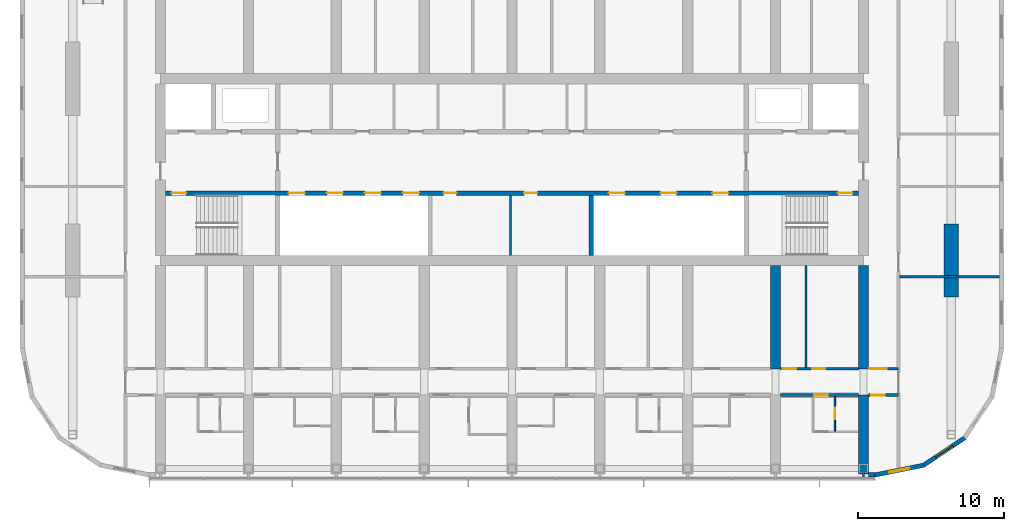
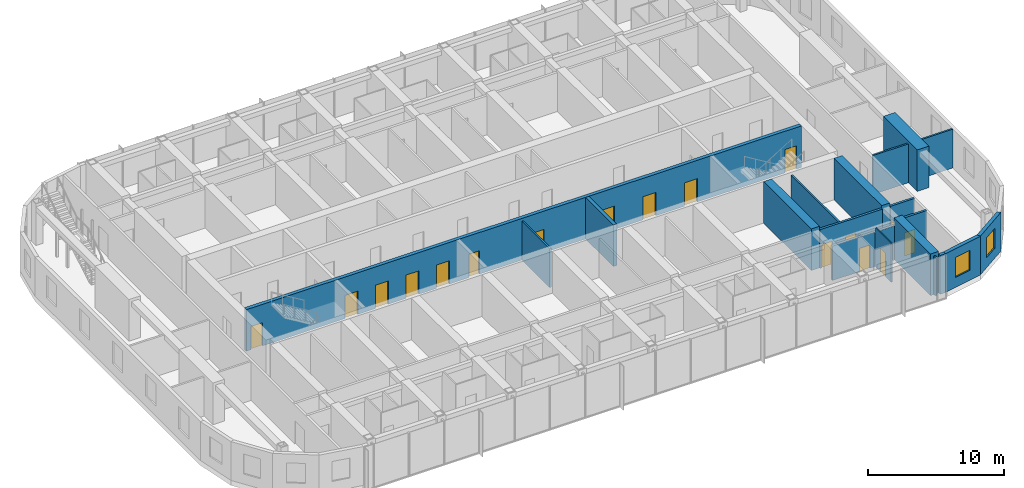
# One storey, part 15 of 26: 18 walls, 17 doors, 2 windows, 19 openings.
"""IFC4 building model written with IfcOpenShell, lengths in metres."""

from ifc_helpers import new_model, si_unit, direction, frame, frame_2d, origin, place, context, subcontext, project, spatial, polyline, rectangle, outline, extrude, material, layer, layer_set, type_object, element, fill, save


model = new_model("IFC4")

# Units and contexts
model_context = context("Model", 3, precision=1e-05, world=origin(), true_north=direction((0.0, 1.0)))
body_context = subcontext(model_context, "Body", "Model", "MODEL_VIEW")
ifc_project = project(units=[si_unit("LENGTHUNIT", "METRE"), si_unit("AREAUNIT", "SQUARE_METRE"), si_unit("VOLUMEUNIT", "CUBIC_METRE"), si_unit("PLANEANGLEUNIT", "RADIAN"), si_unit("MASSUNIT", "GRAM", prefix="KILO")], contexts=[model_context])

# Site, building, storey
site_placement = place(None, origin())
site = spatial("IfcSite", under=ifc_project, at=site_placement, CompositionType="ELEMENT")
building_placement = place(site_placement, origin())
building = spatial("IfcBuilding", under=site, at=building_placement, Name="Orbita Commons", CompositionType="ELEMENT")
storey_placement = place(building_placement, frame((0.0, 0.0, 231.550048828125)))
storey = spatial("IfcBuildingStorey", under=building, at=storey_placement, Name="L57", CompositionType="ELEMENT", Elevation=231.550048828125)

# Wall, openings, doors
ifc_material_1 = material(Name="Concrete C50/60", Category="concrete")
ifc_layer_1 = layer(ifc_material_1, 0.300048828125)
ifc_layer_set_1 = layer_set([ifc_layer_1], Name="Concrete C50/60")
wall_type_1 = type_object("IfcWallType", Name="Core inner wall 300 C50/60", PredefinedType="SHEAR", material=ifc_layer_set_1)
wall_1_placement = place(storey_placement, frame((18.35009765625, 30.39990234375, 0.0), z_axis=(0.0, 0.0, 1.0), x_axis=(1.0, 0.0, 0.0)))
wall_1 = element("IfcWall", 1, at=wall_1_placement, inside=storey, type_object=wall_type_1, Name="Lobby wall south L57", PredefinedType="SHEAR", context=body_context, shape_type="SweptSolid", body=[
    extrude(rectangle(XDim=47.2998046875, YDim=0.300048828125, at=frame_2d((23.64990234375, 0.0))), origin(), (0.0, 0.0, 1.0), 3.75),
])
opening_1_placement = place(wall_1_placement, frame((0.39990234375, 0.0, 0.0)))
opening_1 = element("IfcOpeningElement", 2, at=opening_1_placement, cuts=wall_1, Name="Opening D02", PredefinedType="OPENING", context=body_context, shape_type="SweptSolid", body=[
    extrude(rectangle(XDim=1.0, YDim=2.10009765625, at=frame_2d((0.5, 1.050048828125))), frame((0.0, 0.159912109375, 0.0), z_axis=(0.0, -1.0, 0.0), x_axis=(1.0, 0.0, 0.0)), (0.0, 0.0, 1.0), 0.320068359375),
])
opening_2_placement = place(wall_1_placement, frame((45.89990234375, 0.0, 0.0)))
opening_2 = element("IfcOpeningElement", 3, at=opening_2_placement, cuts=wall_1, Name="Opening D02", PredefinedType="OPENING", context=body_context, shape_type="SweptSolid", body=[
    extrude(rectangle(XDim=1.0, YDim=2.10009765625, at=frame_2d((0.5, 1.050048828125))), frame((0.0, 0.159912109375, 0.0), z_axis=(0.0, -1.0, 0.0), x_axis=(1.0, 0.0, 0.0)), (0.0, 0.0, 1.0), 0.320068359375),
])
opening_3_placement = place(wall_1_placement, frame((8.39990234375, 0.0, 0.0)))
opening_3 = element("IfcOpeningElement", 4, at=opening_3_placement, cuts=wall_1, Name="Opening LD02", PredefinedType="OPENING", context=body_context, shape_type="SweptSolid", body=[
    extrude(rectangle(XDim=1.10009765625, YDim=2.10009765625, at=frame_2d((0.550048828125, 1.050048828125))), frame((0.0, 0.159912109375, 0.0), z_axis=(0.0, -1.0, 0.0), x_axis=(1.0, 0.0, 0.0)), (0.0, 0.0, 1.0), 0.320068359375),
])
opening_4_placement = place(wall_1_placement, frame((11.0, 0.0, 0.0)))
opening_4 = element("IfcOpeningElement", 5, at=opening_4_placement, cuts=wall_1, Name="Opening LD02", PredefinedType="OPENING", context=body_context, shape_type="SweptSolid", body=[
    extrude(rectangle(XDim=1.10009765625, YDim=2.10009765625, at=frame_2d((0.550048828125, 1.050048828125))), frame((0.0, 0.159912109375, 0.0), z_axis=(0.0, -1.0, 0.0), x_axis=(1.0, 0.0, 0.0)), (0.0, 0.0, 1.0), 0.320068359375),
])
opening_5_placement = place(wall_1_placement, frame((13.60009765625, 0.0, 0.0)))
opening_5 = element("IfcOpeningElement", 6, at=opening_5_placement, cuts=wall_1, Name="Opening LD02", PredefinedType="OPENING", context=body_context, shape_type="SweptSolid", body=[
    extrude(rectangle(XDim=1.10009765625, YDim=2.10009765625, at=frame_2d((0.550048828125, 1.050048828125))), frame((0.0, 0.159912109375, 0.0), z_axis=(0.0, -1.0, 0.0), x_axis=(1.0, 0.0, 0.0)), (0.0, 0.0, 1.0), 0.320068359375),
])
opening_6_placement = place(wall_1_placement, frame((16.199951171875, 0.0, 0.0)))
opening_6 = element("IfcOpeningElement", 7, at=opening_6_placement, cuts=wall_1, Name="Opening LD02", PredefinedType="OPENING", context=body_context, shape_type="SweptSolid", body=[
    extrude(rectangle(XDim=1.10009765625, YDim=2.10009765625, at=frame_2d((0.550048828125, 1.050048828125))), frame((0.0, 0.159912109375, 0.0), z_axis=(0.0, -1.0, 0.0), x_axis=(1.0, 0.0, 0.0)), (0.0, 0.0, 1.0), 0.320068359375),
])
opening_7_placement = place(wall_1_placement, frame((18.97509765625, 0.0, 0.0)))
opening_7 = element("IfcOpeningElement", 8, at=opening_7_placement, cuts=wall_1, Name="Opening D05", PredefinedType="OPENING", context=body_context, shape_type="SweptSolid", body=[
    extrude(rectangle(XDim=0.89990234375, YDim=2.10009765625, at=frame_2d((0.449951171875, 1.050048828125))), frame((0.0, 0.159912109375, 0.0), z_axis=(0.0, -1.0, 0.0), x_axis=(1.0, 0.0, 0.0)), (0.0, 0.0, 1.0), 0.320068359375),
])
opening_8_placement = place(wall_1_placement, frame((24.47509765625, 0.0, 0.0)))
opening_8 = element("IfcOpeningElement", 9, at=opening_8_placement, cuts=wall_1, Name="Opening D05", PredefinedType="OPENING", context=body_context, shape_type="SweptSolid", body=[
    extrude(rectangle(XDim=0.89990234375, YDim=2.10009765625, at=frame_2d((0.449951171875, 1.050048828125))), frame((0.0, 0.159912109375, 0.0), z_axis=(0.0, -1.0, 0.0), x_axis=(1.0, 0.0, 0.0)), (0.0, 0.0, 1.0), 0.320068359375),
])
opening_9_placement = place(wall_1_placement, frame((30.2666015625, 0.0, 0.0)))
opening_9 = element("IfcOpeningElement", 10, at=opening_9_placement, cuts=wall_1, Name="Opening LD02", PredefinedType="OPENING", context=body_context, shape_type="SweptSolid", body=[
    extrude(rectangle(XDim=1.10009765625, YDim=2.10009765625, at=frame_2d((0.550048828125, 1.050048828125))), frame((0.0, 0.159912109375, 0.0), z_axis=(0.0, -1.0, 0.0), x_axis=(1.0, 0.0, 0.0)), (0.0, 0.0, 1.0), 0.320068359375),
])
opening_10_placement = place(wall_1_placement, frame((33.800048828125, 0.0, 0.0)))
opening_10 = element("IfcOpeningElement", 11, at=opening_10_placement, cuts=wall_1, Name="Opening LD02", PredefinedType="OPENING", context=body_context, shape_type="SweptSolid", body=[
    extrude(rectangle(XDim=1.10009765625, YDim=2.10009765625, at=frame_2d((0.550048828125, 1.050048828125))), frame((0.0, 0.159912109375, 0.0), z_axis=(0.0, -1.0, 0.0), x_axis=(1.0, 0.0, 0.0)), (0.0, 0.0, 1.0), 0.320068359375),
])
opening_11_placement = place(wall_1_placement, frame((37.333251953125, 0.0, 0.0)))
opening_11 = element("IfcOpeningElement", 12, at=opening_11_placement, cuts=wall_1, Name="Opening LD02", PredefinedType="OPENING", context=body_context, shape_type="SweptSolid", body=[
    extrude(rectangle(XDim=1.10009765625, YDim=2.10009765625, at=frame_2d((0.550048828125, 1.050048828125))), frame((0.0, 0.159912109375, 0.0), z_axis=(0.0, -1.0, 0.0), x_axis=(1.0, 0.0, 0.0)), (0.0, 0.0, 1.0), 0.320068359375),
])
ifc_material_2 = material(Name="Steel-faced fire door leaf", Category="steel")
door_type_1 = type_object("IfcDoorType", Name="Fire door 90 min 1000x2100", OperationType="SINGLE_SWING_LEFT", PredefinedType="DOOR", material=ifc_material_2)
door_1_placement = place(opening_1_placement, origin())
door_1 = element("IfcDoor", 13, at=door_1_placement, inside=storey, type_object=door_type_1, Name="Stair S1 door", OperationType="SINGLE_SWING_LEFT", OverallHeight=2.10009765625, OverallWidth=1.0, PredefinedType="DOOR", context=body_context, shape_type="SweptSolid", body=[
    extrude(rectangle(XDim=1.0, YDim=2.10009765625, at=frame_2d((0.5, 1.050048828125))), frame((0.0, 0.02490234375, 0.0), z_axis=(0.0, -1.0, 0.0), x_axis=(1.0, 0.0, 0.0)), (0.0, 0.0, 1.0), 0.050048828125),
])
fill(opening_1, door_1)
door_2_placement = place(opening_2_placement, origin())
door_2 = element("IfcDoor", 14, at=door_2_placement, inside=storey, type_object=door_type_1, Name="Stair S2 door", OperationType="SINGLE_SWING_LEFT", OverallHeight=2.10009765625, OverallWidth=1.0, PredefinedType="DOOR", context=body_context, shape_type="SweptSolid", body=[
    extrude(rectangle(XDim=1.0, YDim=2.10009765625, at=frame_2d((0.5, 1.050048828125))), frame((0.0, 0.02490234375, 0.0), z_axis=(0.0, -1.0, 0.0), x_axis=(1.0, 0.0, 0.0)), (0.0, 0.0, 1.0), 0.050048828125),
])
fill(opening_2, door_2)
ifc_material_3 = material(Name="Steel-faced fire door leaf", Category="steel")
door_type_2 = type_object("IfcDoorType", Name="Lift landing door 1100x2100", OperationType="DOUBLE_DOOR_SLIDING", PredefinedType="DOOR", material=ifc_material_3)
door_3_placement = place(opening_3_placement, origin())
door_3 = element("IfcDoor", 15, at=door_3_placement, inside=storey, type_object=door_type_2, Name="Lift P41 landing door", OperationType="DOUBLE_DOOR_SLIDING", OverallHeight=2.10009765625, OverallWidth=1.10009765625, PredefinedType="DOOR", context=body_context, shape_type="SweptSolid", body=[
    extrude(rectangle(XDim=1.10009765625, YDim=2.10009765625, at=frame_2d((0.550048828125, 1.050048828125))), frame((0.0, 0.02490234375, 0.0), z_axis=(0.0, -1.0, 0.0), x_axis=(1.0, 0.0, 0.0)), (0.0, 0.0, 1.0), 0.050048828125),
])
fill(opening_3, door_3)
door_4_placement = place(opening_4_placement, origin())
door_4 = element("IfcDoor", 16, at=door_4_placement, inside=storey, type_object=door_type_2, Name="Lift P42 landing door", OperationType="DOUBLE_DOOR_SLIDING", OverallHeight=2.10009765625, OverallWidth=1.10009765625, PredefinedType="DOOR", context=body_context, shape_type="SweptSolid", body=[
    extrude(rectangle(XDim=1.10009765625, YDim=2.10009765625, at=frame_2d((0.550048828125, 1.050048828125))), frame((0.0, 0.02490234375, 0.0), z_axis=(0.0, -1.0, 0.0), x_axis=(1.0, 0.0, 0.0)), (0.0, 0.0, 1.0), 0.050048828125),
])
fill(opening_4, door_4)
door_5_placement = place(opening_5_placement, origin())
door_5 = element("IfcDoor", 17, at=door_5_placement, inside=storey, type_object=door_type_2, Name="Lift P43 landing door", OperationType="DOUBLE_DOOR_SLIDING", OverallHeight=2.10009765625, OverallWidth=1.10009765625, PredefinedType="DOOR", context=body_context, shape_type="SweptSolid", body=[
    extrude(rectangle(XDim=1.10009765625, YDim=2.10009765625, at=frame_2d((0.550048828125, 1.050048828125))), frame((0.0, 0.02490234375, 0.0), z_axis=(0.0, -1.0, 0.0), x_axis=(1.0, 0.0, 0.0)), (0.0, 0.0, 1.0), 0.050048828125),
])
fill(opening_5, door_5)
door_6_placement = place(opening_6_placement, origin())
door_6 = element("IfcDoor", 18, at=door_6_placement, inside=storey, type_object=door_type_2, Name="Lift P44 landing door", OperationType="DOUBLE_DOOR_SLIDING", OverallHeight=2.10009765625, OverallWidth=1.10009765625, PredefinedType="DOOR", context=body_context, shape_type="SweptSolid", body=[
    extrude(rectangle(XDim=1.10009765625, YDim=2.10009765625, at=frame_2d((0.550048828125, 1.050048828125))), frame((0.0, 0.02490234375, 0.0), z_axis=(0.0, -1.0, 0.0), x_axis=(1.0, 0.0, 0.0)), (0.0, 0.0, 1.0), 0.050048828125),
])
fill(opening_6, door_6)
door_7_placement = place(opening_9_placement, origin())
door_7 = element("IfcDoor", 19, at=door_7_placement, inside=storey, type_object=door_type_2, Name="Lift SV1 landing door", OperationType="DOUBLE_DOOR_SLIDING", OverallHeight=2.10009765625, OverallWidth=1.10009765625, PredefinedType="DOOR", context=body_context, shape_type="SweptSolid", body=[
    extrude(rectangle(XDim=1.10009765625, YDim=2.10009765625, at=frame_2d((0.550048828125, 1.050048828125))), frame((0.0, 0.02490234375, 0.0), z_axis=(0.0, -1.0, 0.0), x_axis=(1.0, 0.0, 0.0)), (0.0, 0.0, 1.0), 0.050048828125),
])
fill(opening_9, door_7)
door_8_placement = place(opening_10_placement, origin())
door_8 = element("IfcDoor", 20, at=door_8_placement, inside=storey, type_object=door_type_2, Name="Lift SV2 landing door", OperationType="DOUBLE_DOOR_SLIDING", OverallHeight=2.10009765625, OverallWidth=1.10009765625, PredefinedType="DOOR", context=body_context, shape_type="SweptSolid", body=[
    extrude(rectangle(XDim=1.10009765625, YDim=2.10009765625, at=frame_2d((0.550048828125, 1.050048828125))), frame((0.0, 0.02490234375, 0.0), z_axis=(0.0, -1.0, 0.0), x_axis=(1.0, 0.0, 0.0)), (0.0, 0.0, 1.0), 0.050048828125),
])
fill(opening_10, door_8)
door_9_placement = place(opening_11_placement, origin())
door_9 = element("IfcDoor", 21, at=door_9_placement, inside=storey, type_object=door_type_2, Name="Lift SV3 landing door", OperationType="DOUBLE_DOOR_SLIDING", OverallHeight=2.10009765625, OverallWidth=1.10009765625, PredefinedType="DOOR", context=body_context, shape_type="SweptSolid", body=[
    extrude(rectangle(XDim=1.10009765625, YDim=2.10009765625, at=frame_2d((0.550048828125, 1.050048828125))), frame((0.0, 0.02490234375, 0.0), z_axis=(0.0, -1.0, 0.0), x_axis=(1.0, 0.0, 0.0)), (0.0, 0.0, 1.0), 0.050048828125),
])
fill(opening_11, door_9)
ifc_material_4 = material(Name="Steel-faced fire door leaf", Category="steel")
door_type_3 = type_object("IfcDoorType", Name="Service door 20 min 900x2100", OperationType="SINGLE_SWING_LEFT", PredefinedType="DOOR", material=ifc_material_4)
door_10_placement = place(opening_7_placement, origin())
door_10 = element("IfcDoor", 22, at=door_10_placement, inside=storey, type_object=door_type_3, Name="Telecoms room door", OperationType="SINGLE_SWING_LEFT", OverallHeight=2.10009765625, OverallWidth=0.89990234375, PredefinedType="DOOR", context=body_context, shape_type="SweptSolid", body=[
    extrude(rectangle(XDim=0.89990234375, YDim=2.10009765625, at=frame_2d((0.449951171875, 1.050048828125))), frame((0.0, 0.02490234375, 0.0), z_axis=(0.0, -1.0, 0.0), x_axis=(1.0, 0.0, 0.0)), (0.0, 0.0, 1.0), 0.050048828125),
])
fill(opening_7, door_10)
door_11_placement = place(opening_8_placement, origin())
door_11 = element("IfcDoor", 23, at=door_11_placement, inside=storey, type_object=door_type_3, Name="Equipment store door", OperationType="SINGLE_SWING_LEFT", OverallHeight=2.10009765625, OverallWidth=0.89990234375, PredefinedType="DOOR", context=body_context, shape_type="SweptSolid", body=[
    extrude(rectangle(XDim=0.89990234375, YDim=2.10009765625, at=frame_2d((0.449951171875, 1.050048828125))), frame((0.0, 0.02490234375, 0.0), z_axis=(0.0, -1.0, 0.0), x_axis=(1.0, 0.0, 0.0)), (0.0, 0.0, 1.0), 0.050048828125),
])
fill(opening_8, door_11)

# Walls
wall_2_placement = place(storey_placement, frame((47.39990234375, 26.14990234375, 0.0), z_axis=(0.0, 0.0, 1.0), x_axis=(0.0, 1.0, 0.0)))
element("IfcWall", 24, at=wall_2_placement, inside=storey, type_object=wall_type_1, Name="Hoistway division wall L57", PredefinedType="SHEAR", context=body_context, shape_type="SweptSolid", body=[
    extrude(rectangle(XDim=4.10009765625, YDim=0.300048828125, at=frame_2d((2.050048828125, 0.0))), origin(), (0.0, 0.0, 1.0), 3.75),
])
ifc_material_5 = material(Name="Concrete blockwork", Category="masonry")
ifc_layer_2 = layer(ifc_material_5, 0.14990234375)
ifc_layer_set_2 = layer_set([ifc_layer_2], Name="Concrete blockwork")
wall_type_2 = type_object("IfcWallType", Name="Core partition 150 blockwork", PredefinedType="SOLIDWALL", material=ifc_layer_set_2)
wall_3_placement = place(storey_placement, frame((41.89990234375, 26.14990234375, 0.0), z_axis=(0.0, 0.0, 1.0), x_axis=(0.0, 1.0, 0.0)))
element("IfcWall", 25, at=wall_3_placement, inside=storey, type_object=wall_type_2, Name="Core partition 150 blockwork L57", PredefinedType="SOLIDWALL", context=body_context, shape_type="SweptSolid", body=[
    extrude(rectangle(XDim=4.10009765625, YDim=0.14990234375, at=frame_2d((2.050048828125, 0.0))), origin(), (0.0, 0.0, 1.0), 3.5),
])

# Wall, opening, door
ifc_material_6 = material(Name="Concrete blockwork", Category="masonry")
ifc_layer_3 = layer(ifc_material_6, 0.199951171875)
ifc_layer_set_3 = layer_set([ifc_layer_3], Name="Concrete blockwork")
wall_type_3 = type_object("IfcWallType", Name="Corridor wall 200 blockwork", PredefinedType="SOLIDWALL", material=ifc_layer_set_3)
wall_4_placement = place(storey_placement, frame((60.35009765625, 16.60009765625, 0.0), z_axis=(0.0, 0.0, 1.0), x_axis=(1.0, 0.0, 0.0)))
wall_4 = element("IfcWall", 26, at=wall_4_placement, inside=storey, type_object=wall_type_3, Name="Corridor wall 200 blockwork L57", PredefinedType="SOLIDWALL", context=body_context, shape_type="SweptSolid", body=[
    extrude(outline(polyline([(0.0, 0.0), (5.2998046875, 0.0), (5.300048828125, 3.099853515625), (0.0, 3.099853515625), (0.0, 0.0)])), frame((0.0, 0.10009765625, 0.0), z_axis=(0.0, -1.0, 0.0), x_axis=(1.0, 0.0, 0.0)), (0.0, 0.0, 1.0), 0.199951171875),
])
opening_12_placement = place(wall_4_placement, frame((2.300048828125, 0.0, 0.0)))
opening_12 = element("IfcOpeningElement", 27, at=opening_12_placement, cuts=wall_4, Name="Opening D11", PredefinedType="OPENING", context=body_context, shape_type="SweptSolid", body=[
    extrude(rectangle(XDim=0.89990234375, YDim=2.10009765625, at=frame_2d((0.449951171875, 1.050048828125))), frame((0.0, 0.10986328125, 0.0), z_axis=(0.0, -1.0, 0.0), x_axis=(1.0, 0.0, 0.0)), (0.0, 0.0, 1.0), 0.219970703125),
])
ifc_material_7 = material(Name="Steel-faced fire door leaf", Category="steel")
door_type_4 = type_object("IfcDoorType", Name="Corridor door 20 min 900x2100", OperationType="SINGLE_SWING_LEFT", PredefinedType="DOOR", material=ifc_material_7)
door_12_placement = place(opening_12_placement, origin())
door_12 = element("IfcDoor", 28, at=door_12_placement, inside=storey, type_object=door_type_4, Name="Studio flat L57-S14 entrance door", OperationType="SINGLE_SWING_LEFT", OverallHeight=2.10009765625, OverallWidth=0.89990234375, PredefinedType="DOOR", context=body_context, shape_type="SweptSolid", body=[
    extrude(rectangle(XDim=0.89990234375, YDim=2.10009765625, at=frame_2d((0.449951171875, 1.050048828125))), frame((0.0, 0.02490234375, 0.0), z_axis=(0.0, -1.0, 0.0), x_axis=(1.0, 0.0, 0.0)), (0.0, 0.0, 1.0), 0.050048828125),
])
fill(opening_12, door_12)

wall_5_placement = place(storey_placement, frame((66.35009765625, 16.60009765625, 0.0), z_axis=(0.0, 0.0, 1.0), x_axis=(1.0, 0.0, 0.0)))
wall_5 = element("IfcWall", 29, at=wall_5_placement, inside=storey, type_object=wall_type_3, Name="Corridor wall 200 blockwork L57", PredefinedType="SOLIDWALL", context=body_context, shape_type="SweptSolid", body=[
    extrude(rectangle(XDim=2.0498046875, YDim=0.199951171875, at=frame_2d((1.02490234375, 0.0))), origin(), (0.0, 0.0, 1.0), 3.5),
])
opening_13_placement = place(wall_5_placement, frame((0.199951171875, 0.0, 0.0)))
opening_13 = element("IfcOpeningElement", 30, at=opening_13_placement, cuts=wall_5, Name="Opening D05", PredefinedType="OPENING", context=body_context, shape_type="SweptSolid", body=[
    extrude(rectangle(XDim=0.89990234375, YDim=2.10009765625, at=frame_2d((0.449951171875, 1.050048828125))), frame((0.0, 0.10986328125, 0.0), z_axis=(0.0, -1.0, 0.0), x_axis=(1.0, 0.0, 0.0)), (0.0, 0.0, 1.0), 0.219970703125),
])
door_13_placement = place(opening_13_placement, origin())
door_13 = element("IfcDoor", 31, at=door_13_placement, inside=storey, type_object=door_type_3, Name="Linen store L57-KES door", OperationType="SINGLE_SWING_LEFT", OverallHeight=2.10009765625, OverallWidth=0.89990234375, PredefinedType="DOOR", context=body_context, shape_type="SweptSolid", body=[
    extrude(rectangle(XDim=0.89990234375, YDim=2.10009765625, at=frame_2d((0.449951171875, 1.050048828125))), frame((0.0, 0.02490234375, 0.0), z_axis=(0.0, -1.0, 0.0), x_axis=(1.0, 0.0, 0.0)), (0.0, 0.0, 1.0), 0.050048828125),
])
fill(opening_13, door_13)

# Wall, openings, doors
ifc_material_8 = material(Name="Hollow concrete block 200", Category="concrete")
ifc_layer_4 = layer(ifc_material_8, 0.199951171875)
ifc_layer_set_4 = layer_set([ifc_layer_4], Name="Hollow concrete block 200")
wall_type_4 = type_object("IfcWallType", Name="Corridor wall 200 hollow concrete block", PredefinedType="SOLIDWALL", material=ifc_layer_set_4)
wall_6_placement = place(storey_placement, frame((60.35009765625, 18.39990234375, 0.0), z_axis=(0.0, 0.0, 1.0), x_axis=(1.0, 0.0, 0.0)))
wall_6 = element("IfcWall", 32, at=wall_6_placement, inside=storey, type_object=wall_type_4, Name="Corridor wall 200 hollow concrete block L57", PredefinedType="SOLIDWALL", context=body_context, shape_type="SweptSolid", body=[
    extrude(rectangle(XDim=5.2998046875, YDim=0.199951171875, at=frame_2d((2.64990234375, 0.0))), origin(), (0.0, 0.0, 1.0), 3.5),
])
opening_14_placement = place(wall_6_placement, frame((0.14990234375, 0.0, 0.0)))
opening_14 = element("IfcOpeningElement", 33, at=opening_14_placement, cuts=wall_6, Name="Opening D11", PredefinedType="OPENING", context=body_context, shape_type="SweptSolid", body=[
    extrude(rectangle(XDim=0.89990234375, YDim=2.10009765625, at=frame_2d((0.449951171875, 1.050048828125))), frame((0.0, 0.10986328125, 0.0), z_axis=(0.0, -1.0, 0.0), x_axis=(1.0, 0.0, 0.0)), (0.0, 0.0, 1.0), 0.219970703125),
])
opening_15_placement = place(wall_6_placement, frame((2.14990234375, 0.0, 0.0)))
opening_15 = element("IfcOpeningElement", 34, at=opening_15_placement, cuts=wall_6, Name="Opening D11", PredefinedType="OPENING", context=body_context, shape_type="SweptSolid", body=[
    extrude(rectangle(XDim=0.89990234375, YDim=2.10009765625, at=frame_2d((0.449951171875, 1.050048828125))), frame((0.0, 0.10986328125, 0.0), z_axis=(0.0, -1.0, 0.0), x_axis=(1.0, 0.0, 0.0)), (0.0, 0.0, 1.0), 0.219970703125),
])
door_14_placement = place(opening_14_placement, origin())
door_14 = element("IfcDoor", 35, at=door_14_placement, inside=storey, type_object=door_type_4, Name="Equipment store L57-BDS60n door", OperationType="SINGLE_SWING_LEFT", OverallHeight=2.10009765625, OverallWidth=0.89990234375, PredefinedType="DOOR", context=body_context, shape_type="SweptSolid", body=[
    extrude(rectangle(XDim=0.89990234375, YDim=2.10009765625, at=frame_2d((0.449951171875, 1.050048828125))), frame((0.0, 0.02490234375, 0.0), z_axis=(0.0, -1.0, 0.0), x_axis=(1.0, 0.0, 0.0)), (0.0, 0.0, 1.0), 0.050048828125),
])
fill(opening_14, door_14)
door_15_placement = place(opening_15_placement, origin())
door_15 = element("IfcDoor", 36, at=door_15_placement, inside=storey, type_object=door_type_4, Name="Ventilation plant room north L57-BDS60 door", OperationType="SINGLE_SWING_LEFT", OverallHeight=2.10009765625, OverallWidth=0.89990234375, PredefinedType="DOOR", context=body_context, shape_type="SweptSolid", body=[
    extrude(rectangle(XDim=0.89990234375, YDim=2.10009765625, at=frame_2d((0.449951171875, 1.050048828125))), frame((0.0, 0.02490234375, 0.0), z_axis=(0.0, -1.0, 0.0), x_axis=(1.0, 0.0, 0.0)), (0.0, 0.0, 1.0), 0.050048828125),
])
fill(opening_15, door_15)

# Wall, opening, door
wall_7_placement = place(storey_placement, frame((66.35009765625, 18.39990234375, 0.0), z_axis=(0.0, 0.0, 1.0), x_axis=(1.0, 0.0, 0.0)))
wall_7 = element("IfcWall", 37, at=wall_7_placement, inside=storey, type_object=wall_type_4, Name="Corridor wall 200 hollow concrete block L57", PredefinedType="SOLIDWALL", context=body_context, shape_type="SweptSolid", body=[
    extrude(rectangle(XDim=2.0498046875, YDim=0.199951171875, at=frame_2d((1.02490234375, 0.0))), origin(), (0.0, 0.0, 1.0), 3.5),
])
opening_16_placement = place(wall_7_placement, frame((0.050048828125, 0.0, 0.0)))
opening_16 = element("IfcOpeningElement", 38, at=opening_16_placement, cuts=wall_7, Name="Opening D12", PredefinedType="OPENING", context=body_context, shape_type="SweptSolid", body=[
    extrude(rectangle(XDim=1.199951171875, YDim=2.10009765625, at=frame_2d((0.60009765625, 1.050048828125))), frame((0.0, 0.10986328125, 0.0), z_axis=(0.0, -1.0, 0.0), x_axis=(1.0, 0.0, 0.0)), (0.0, 0.0, 1.0), 0.219970703125),
])
ifc_material_9 = material(Name="Steel-faced fire door leaf", Category="steel")
door_type_5 = type_object("IfcDoorType", Name="Double corridor door 20 min 1200x2100", OperationType="DOUBLE_DOOR_SINGLE_SWING", PredefinedType="DOOR", material=ifc_material_9)
door_16_placement = place(opening_16_placement, origin())
door_16 = element("IfcDoor", 39, at=door_16_placement, inside=storey, type_object=door_type_5, Name="Cross corridor doors", OperationType="DOUBLE_DOOR_SINGLE_SWING", OverallHeight=2.10009765625, OverallWidth=1.199951171875, PredefinedType="DOOR", context=body_context, shape_type="SweptSolid", body=[
    extrude(rectangle(XDim=1.199951171875, YDim=2.10009765625, at=frame_2d((0.60009765625, 1.050048828125))), frame((0.0, 0.02490234375, 0.0), z_axis=(0.0, -1.0, 0.0), x_axis=(1.0, 0.0, 0.0)), (0.0, 0.0, 1.0), 0.050048828125),
])
fill(opening_16, door_16)

# Walls
ifc_material_10 = material(Name="Concrete C50/60", Category="concrete")
ifc_layer_5 = layer(ifc_material_10, 0.699951171875)
ifc_layer_set_5 = layer_set([ifc_layer_5], Name="Concrete C50/60")
wall_type_5 = type_object("IfcWallType", Name="Cross wall 700 C50/60", PredefinedType="SHEAR", material=ifc_layer_set_5)
wall_8_placement = place(storey_placement, frame((60.0, 18.39990234375, 0.0), z_axis=(0.0, 0.0, 1.0), x_axis=(0.0, 1.0, 0.0)))
element("IfcWall", 40, at=wall_8_placement, inside=storey, type_object=wall_type_5, Name="Cross wall 11 south inner L57", PredefinedType="SHEAR", context=body_context, shape_type="SweptSolid", body=[
    extrude(rectangle(XDim=7.050048828125, YDim=0.699951171875, at=frame_2d((3.52490234375, 0.0))), origin(), (0.0, 0.0, 1.0), 3.75),
])
wall_9_placement = place(storey_placement, frame((66.0, 11.199951171875, 0.0), z_axis=(0.0, 0.0, 1.0), x_axis=(0.0, 1.0, 0.0)))
element("IfcWall", 41, at=wall_9_placement, inside=storey, type_object=wall_type_5, Name="Cross wall 12 south outer L57", PredefinedType="SHEAR", context=body_context, shape_type="SweptSolid", body=[
    extrude(rectangle(XDim=5.400146484375, YDim=0.699951171875, at=frame_2d((2.7001953125, 0.0))), origin(), (0.0, 0.0, 1.0), 3.75),
])
wall_10_placement = place(storey_placement, frame((66.0, 18.39990234375, 0.0), z_axis=(0.0, 0.0, 1.0), x_axis=(0.0, 1.0, 0.0)))
element("IfcWall", 42, at=wall_10_placement, inside=storey, type_object=wall_type_5, Name="Cross wall 12 south inner L57", PredefinedType="SHEAR", context=body_context, shape_type="SweptSolid", body=[
    extrude(rectangle(XDim=7.050048828125, YDim=0.699951171875, at=frame_2d((3.52490234375, 0.0))), origin(), (0.0, 0.0, 1.0), 3.75),
])

# Wall, opening, door
ifc_material_11 = material(Name="Moisture-resistant plasterboard on steel studs", Category="steel")
ifc_layer_6 = layer(ifc_material_11, 0.10009765625)
ifc_layer_set_6 = layer_set([ifc_layer_6], Name="Moisture-resistant plasterboard on steel studs")
wall_type_6 = type_object("IfcWallType", Name="En-suite partition 100", PredefinedType="PARTITIONING", material=ifc_layer_set_6)
wall_11_placement = place(storey_placement, frame((64.050048828125, 14.14990234375, 0.0), z_axis=(0.0, 0.0, 1.0), x_axis=(0.0, 1.0, 0.0)))
wall_11 = element("IfcWall", 43, at=wall_11_placement, inside=storey, type_object=wall_type_6, Name="En-suite partition 100 L57", PredefinedType="PARTITIONING", context=body_context, shape_type="SweptSolid", body=[
    extrude(outline(polyline([(0.0, 0.0), (2.35009765625, 0.0), (2.35009765625, 3.099853515625), (2.302001953125, 3.099853515625), (2.300048828125, 3.5), (0.0, 3.5), (0.0, 0.0)])), frame((0.0, 0.050048828125, 0.0), z_axis=(0.0, -1.0, 0.0), x_axis=(1.0, 0.0, 0.0)), (0.0, 0.0, 1.0), 0.10009765625),
])
opening_17_placement = place(wall_11_placement, frame((0.800048828125, 0.0, 0.0)))
opening_17 = element("IfcOpeningElement", 44, at=opening_17_placement, cuts=wall_11, Name="Opening D16", PredefinedType="OPENING", context=body_context, shape_type="SweptSolid", body=[
    extrude(rectangle(XDim=0.800048828125, YDim=2.10009765625, at=frame_2d((0.39990234375, 1.050048828125))), frame((0.0, 0.06005859375, 0.0), z_axis=(0.0, -1.0, 0.0), x_axis=(1.0, 0.0, 0.0)), (0.0, 0.0, 1.0), 0.1201171875),
])
ifc_material_12 = material(Name="Laminated timber door leaf", Category="wood")
door_type_6 = type_object("IfcDoorType", Name="En-suite door 800x2100", OperationType="SINGLE_SWING_RIGHT", PredefinedType="DOOR", material=ifc_material_12)
door_17_placement = place(opening_17_placement, origin())
door_17 = element("IfcDoor", 45, at=door_17_placement, inside=storey, type_object=door_type_6, Name="Studio flat shower room L57-S14 door", OperationType="SINGLE_SWING_RIGHT", OverallHeight=2.10009765625, OverallWidth=0.800048828125, PredefinedType="DOOR", context=body_context, shape_type="SweptSolid", body=[
    extrude(rectangle(XDim=0.800048828125, YDim=2.10009765625, at=frame_2d((0.39990234375, 1.050048828125))), frame((0.0, 0.02490234375, 0.0), z_axis=(0.0, -1.0, 0.0), x_axis=(1.0, 0.0, 0.0)), (0.0, 0.0, 1.0), 0.050048828125),
])
fill(opening_17, door_17)

# Walls
ifc_material_13 = material(Name="Concrete C50/60", Category="concrete")
ifc_layer_7 = layer(ifc_material_13, 1.0)
ifc_layer_set_7 = layer_set([ifc_layer_7], Name="Concrete C50/60")
wall_type_7 = type_object("IfcWallType", Name="End pier 1000x5000 C50/60", PredefinedType="SHEAR", material=ifc_layer_set_7)
wall_12_placement = place(storey_placement, frame((72.0, 23.300048828125, 0.0), z_axis=(0.0, 0.0, 1.0), x_axis=(0.0, 1.0, 0.0)))
element("IfcWall", 46, at=wall_12_placement, inside=storey, type_object=wall_type_7, Name="End pier 13/C L57", PredefinedType="SHEAR", context=body_context, shape_type="SweptSolid", body=[
    extrude(rectangle(XDim=5.0, YDim=1.0, at=frame_2d((2.5, 0.0))), origin(), (0.0, 0.0, 1.0), 3.75),
])
ifc_material_14 = material(Name="Gypsum plasterboard on steel studs", Category="steel")
ifc_layer_8 = layer(ifc_material_14, 0.14990234375)
ifc_layer_set_8 = layer_set([ifc_layer_8], Name="Gypsum plasterboard on steel studs")
wall_type_8 = type_object("IfcWallType", Name="Partition 150 plasterboard", PredefinedType="PARTITIONING", material=ifc_layer_set_8)
wall_13_placement = place(storey_placement, frame((62.074951171875, 18.5, 0.0), z_axis=(0.0, 0.0, 1.0), x_axis=(0.0, 1.0, 0.0)))
element("IfcWall", 47, at=wall_13_placement, inside=storey, type_object=wall_type_8, Name="Partition 150 plasterboard L57", PredefinedType="PARTITIONING", context=body_context, shape_type="SweptSolid", body=[
    extrude(rectangle(XDim=6.949951171875, YDim=0.14990234375, at=frame_2d((3.47509765625, 0.0))), origin(), (0.0, 0.0, 1.0), 3.5),
])
wall_14_placement = place(storey_placement, frame((68.47509765625, 24.679931640625, 0.0), z_axis=(0.0, 0.0, 1.0), x_axis=(1.0, 0.0, 0.0)))
element("IfcWall", 48, at=wall_14_placement, inside=storey, type_object=wall_type_8, Name="Partition 150 plasterboard L57", PredefinedType="PARTITIONING", context=body_context, shape_type="SweptSolid", body=[
    extrude(rectangle(XDim=6.81982421875, YDim=0.14990234375, at=frame_2d((3.409912109375, 0.0))), origin(), (0.0, 0.0, 1.0), 3.5),
])
wall_15_placement = place(storey_placement, frame((66.0, 11.300048828125, 0.0), z_axis=(0.0, 0.0, 1.0), x_axis=(0.0, -1.0, 0.0)))
element("IfcWall", 49, at=wall_15_placement, inside=storey, type_object=wall_type_8, Name="Partition 150 plasterboard L57", PredefinedType="PARTITIONING", context=body_context, shape_type="SweptSolid", body=[
    extrude(rectangle(XDim=0.2900390625, YDim=0.14990234375, at=frame_2d((0.14501953125, 0.0))), origin(), (0.0, 0.0, 1.0), 3.5),
])

# Wall, opening, window
ifc_material_15 = material(Name="Precast concrete C40/50, white board-marked finish", Category="concrete")
ifc_layer_9 = layer(ifc_material_15, 0.300048828125)
ifc_layer_set_9 = layer_set([ifc_layer_9], Name="Precast concrete C40/50, white board-marked finish")
wall_type_9 = type_object("IfcWallType", Name="Precast concrete end shield 300", PredefinedType="SOLIDWALL", material=ifc_layer_set_9)
wall_16_placement = place(storey_placement, frame((66.800048828125, 11.14990234375, 0.0), z_axis=(0.0, 0.0, 1.0), x_axis=(0.98078325777, 0.195100490205, 0.0)))
wall_16 = element("IfcWall", 50, at=wall_16_placement, inside=storey, type_object=wall_type_9, Name="End shield SE chord 1 L57", PredefinedType="SOLIDWALL", context=body_context, shape_type="SweptSolid", body=[
    extrude(outline(polyline([(-0.02978515625, -0.14990234375), (3.40478515625, -0.14990234375), (3.34521484375, 0.14990234375), (0.02978515625, 0.14990234375), (-0.02978515625, -0.14990234375)])), origin(), (0.0, 0.0, 1.0), 3.5),
])
opening_18_placement = place(wall_16_placement, frame((0.987548828125, 0.0, 0.89990234375)))
opening_18 = element("IfcOpeningElement", 51, at=opening_18_placement, cuts=wall_16, Name="Opening W02", PredefinedType="OPENING", context=body_context, shape_type="SweptSolid", body=[
    extrude(rectangle(XDim=1.39990234375, YDim=1.800048828125, at=frame_2d((0.699951171875, 0.89990234375))), frame((0.0, 0.159912109375, 0.0), z_axis=(0.0, -1.0, 0.0), x_axis=(1.0, 0.0, 0.0)), (0.0, 0.0, 1.0), 0.320068359375),
])
ifc_material_16 = material(Name="Aluminium frame, clear double glazing", Category="aluminium")
window_type = type_object("IfcWindowType", Name="Deep-set window 1400x1800", PartitioningType="SINGLE_PANEL", PredefinedType="WINDOW", material=ifc_material_16)
window_1_placement = place(opening_18_placement, origin())
window_1 = element("IfcWindow", 52, at=window_1_placement, inside=storey, type_object=window_type, Name="Window L57-SE0", OverallHeight=1.800048828125, OverallWidth=1.39990234375, PartitioningType="SINGLE_PANEL", PredefinedType="WINDOW", context=body_context, shape_type="SweptSolid", body=[
    extrude(rectangle(XDim=1.39990234375, YDim=1.800048828125, at=frame_2d((0.699951171875, 0.89990234375))), frame((0.0, 0.030029296875, 0.0), z_axis=(0.0, -1.0, 0.0), x_axis=(1.0, 0.0, 0.0)), (0.0, 0.0, 1.0), 0.06005859375),
])
fill(opening_18, window_1)

wall_17_placement = place(storey_placement, frame((70.110107421875, 11.808349609375, 0.0), z_axis=(0.0, 0.0, 1.0), x_axis=(0.831460037396, 0.555584562613, 0.0)))
wall_17 = element("IfcWall", 53, at=wall_17_placement, inside=storey, type_object=wall_type_9, Name="End shield SE chord 2 L57", PredefinedType="SOLIDWALL", context=body_context, shape_type="SweptSolid", body=[
    extrude(outline(polyline([(-0.02978515625, -0.14990234375), (3.405029296875, -0.14990234375), (3.345458984375, 0.14990234375), (0.02978515625, 0.14990234375), (-0.02978515625, -0.14990234375)])), origin(), (0.0, 0.0, 1.0), 3.5),
])
opening_19_placement = place(wall_17_placement, frame((0.987548828125, 0.0, 0.89990234375)))
opening_19 = element("IfcOpeningElement", 54, at=opening_19_placement, cuts=wall_17, Name="Opening W02", PredefinedType="OPENING", context=body_context, shape_type="SweptSolid", body=[
    extrude(rectangle(XDim=1.39990234375, YDim=1.800048828125, at=frame_2d((0.699951171875, 0.89990234375))), frame((0.0, 0.159912109375, 0.0), z_axis=(0.0, -1.0, 0.0), x_axis=(1.0, 0.0, 0.0)), (0.0, 0.0, 1.0), 0.320068359375),
])
window_2_placement = place(opening_19_placement, origin())
window_2 = element("IfcWindow", 55, at=window_2_placement, inside=storey, type_object=window_type, Name="Window L57-SE1", OverallHeight=1.800048828125, OverallWidth=1.39990234375, PartitioningType="SINGLE_PANEL", PredefinedType="WINDOW", context=body_context, shape_type="SweptSolid", body=[
    extrude(rectangle(XDim=1.39990234375, YDim=1.800048828125, at=frame_2d((0.699951171875, 0.89990234375))), frame((0.0, 0.030029296875, 0.0), z_axis=(0.0, -1.0, 0.0), x_axis=(1.0, 0.0, 0.0)), (0.0, 0.0, 1.0), 0.06005859375),
])
fill(opening_19, window_2)

# Wall
wall_18_placement = place(storey_placement, frame((66.800048828125, 11.14990234375, 0.0), z_axis=(0.0, 0.0, 1.0), x_axis=(-1.0, 0.0, 0.0)))
element("IfcWall", 56, at=wall_18_placement, inside=storey, type_object=wall_type_9, Name="End shield SE closer L57", PredefinedType="SOLIDWALL", context=body_context, shape_type="SweptSolid", body=[
    extrude(rectangle(XDim=0.449951171875, YDim=0.300048828125, at=frame_2d((0.22509765625, 0.0))), origin(), (0.0, 0.0, 1.0), 3.5),
])

save(model, "model.ifc")
